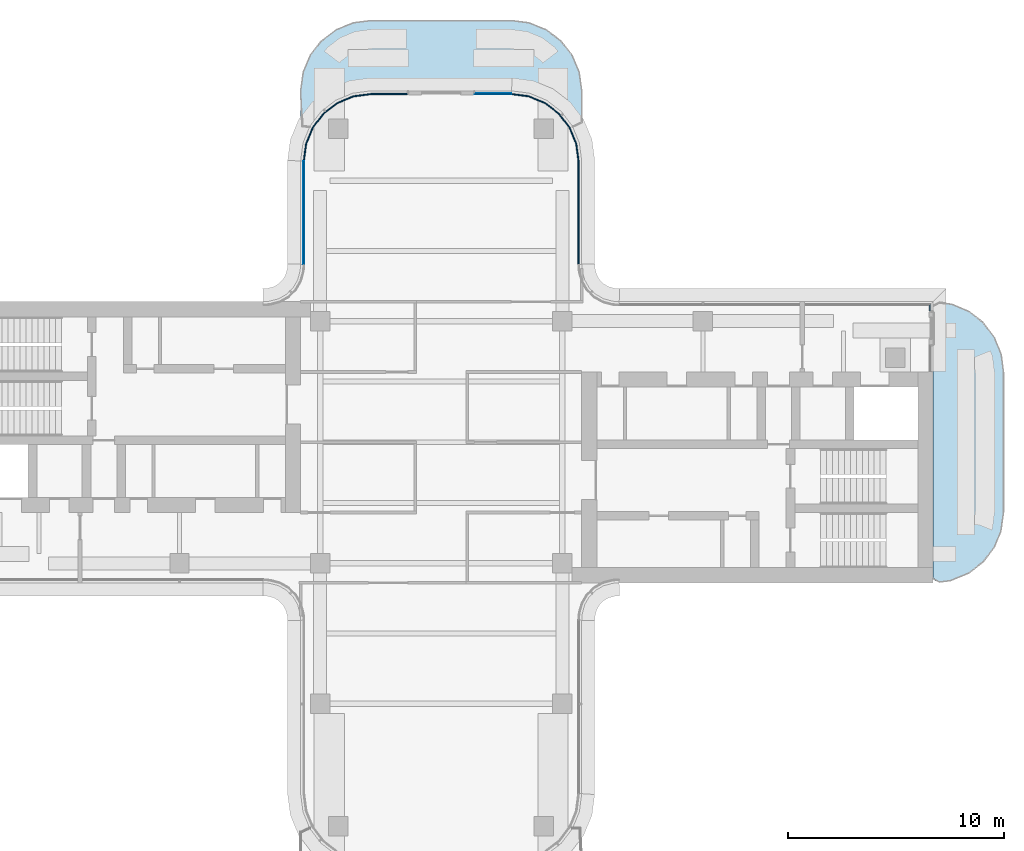
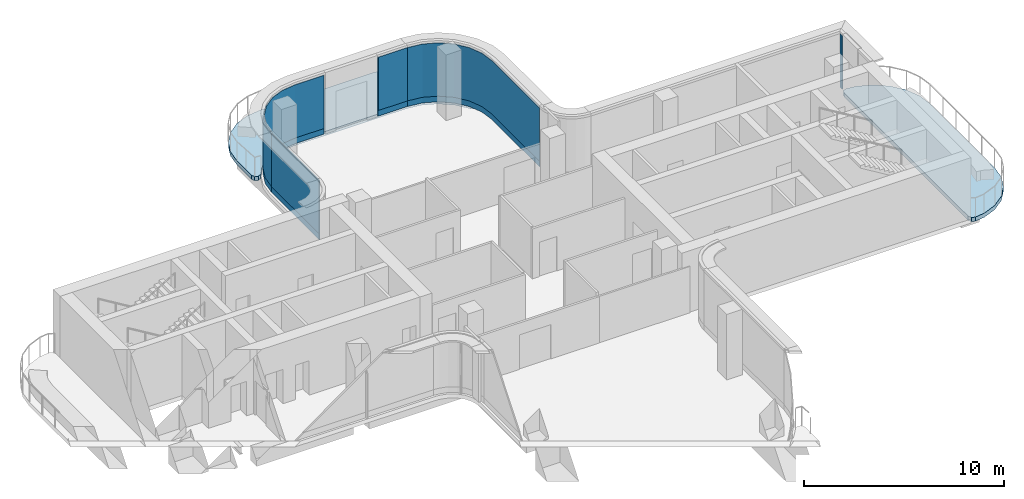
# One storey, part 11 of 18: 9 plates, 2 slabs, 5 elements without a shape of their own.
"""IFC4 building model written with IfcOpenShell, lengths in metres."""

from ifc_helpers import new_model, si_unit, direction, frame, origin, place, context, subcontext, project, spatial, polyline, outline, extrude, source, transform, mapped, material, layer, layer_set, type_object, element, aggregate, save


model = new_model("IFC4")

# Units and contexts
model_context = context("Model", 3, precision=1e-05, world=origin(), true_north=direction((0.0, 1.0)))
body_context = subcontext(model_context, "Body", "Model", "MODEL_VIEW")
ifc_project = project(units=[si_unit("LENGTHUNIT", "METRE"), si_unit("AREAUNIT", "SQUARE_METRE"), si_unit("VOLUMEUNIT", "CUBIC_METRE"), si_unit("PLANEANGLEUNIT", "RADIAN"), si_unit("MASSUNIT", "GRAM", prefix="KILO")], contexts=[model_context])

# Site, building, storey
site_placement = place(None, origin())
site = spatial("IfcSite", under=ifc_project, at=site_placement, CompositionType="ELEMENT")
building_placement = place(site_placement, origin())
building = spatial("IfcBuilding", under=site, at=building_placement, Name="Trellis Farm Tower", CompositionType="ELEMENT")
storey_placement = place(building_placement, frame((0.0, 0.0, 338.10009765625)))
storey = spatial("IfcBuildingStorey", under=building, at=storey_placement, Name="L76", CompositionType="ELEMENT", Elevation=338.10009765625)

# Curtain wall, plate
ifc_material_1 = material(Name="Aluminium and glass curtain wall", Category="aluminium")
ifc_layer_1 = layer(ifc_material_1, 0.176025390625)
ifc_layer_set_1 = layer_set([ifc_layer_1], Name="CROWN LANTERN CURTAIN WALL CW5")
curtain_wall_type = type_object("IfcCurtainWallType", Name="CROWN LANTERN CURTAIN WALL CW5", PredefinedType="NOTDEFINED", material=ifc_layer_set_1)
placement_1 = place(storey_placement, origin())
curtain_wall_1 = element("IfcCurtainWall", 1, at=placement_1, inside=storey, type_object=curtain_wall_type, Name="CW5 007", PredefinedType="NOTDEFINED")
ifc_material_2 = material(Name="Clear insulated glass", Category="glass")
ifc_layer_2 = layer(ifc_material_2, 0.055908203125)
ifc_layer_set_2 = layer_set([ifc_layer_2], Name="CW5 GLASS PANEL 56")
plate_type_1 = type_object("IfcPlateType", Name="CW5 GLASS PANEL 56", PredefinedType="CURTAIN_PANEL", material=ifc_layer_set_2)
placement_2 = place(storey_placement, frame((0.0, 0.0, 0.349853515625)))
plate_1 = element("IfcPlate", 2, at=placement_2, type_object=plate_type_1, Name="PL5 007", PredefinedType="CURTAIN_PANEL", context=body_context, shape_type="SweptSolid", body=[
    extrude(outline(polyline([(22.6298828125, 6.080078125), (22.6298828125, 6.3798828125), (22.573974609375, 6.323974609375), (22.573974609375, 6.080078125), (22.6298828125, 6.080078125)])), origin(), (0.0, 0.0, 1.0), 3.25),
])
aggregate(curtain_wall_1, [plate_1])

curtain_wall_2 = element("IfcCurtainWall", 3, at=placement_1, inside=storey, type_object=curtain_wall_type, Name="CW5 011", PredefinedType="NOTDEFINED")
plate_2 = element("IfcPlate", 4, at=placement_2, type_object=plate_type_1, Name="PL5 011", PredefinedType="CURTAIN_PANEL", context=body_context, shape_type="SweptSolid", body=[
    extrude(outline(polyline([(3.2421875, 16.1298828125), (1.56005859375, 16.1298828125), (1.56005859375, 16.073974609375), (3.238525390625, 16.073974609375), (3.2421875, 16.1298828125)])), origin(), (0.0, 0.0, 1.0), 3.25),
])

curtain_wall_3 = element("IfcCurtainWall", 5, at=placement_1, inside=storey, type_object=curtain_wall_type, Name="CW5 012", PredefinedType="NOTDEFINED")
plate_3 = element("IfcPlate", 6, at=placement_2, type_object=plate_type_1, Name="PL5 012", PredefinedType="CURTAIN_PANEL", context=body_context, shape_type="SweptSolid", body=[
    extrude(outline(polyline([(-1.56005859375, 16.1298828125), (-3.2421875, 16.1298828125), (-4.059814453125, 16.0224609375), (-4.814453125, 15.709716796875), (-5.46240234375, 15.21240234375), (-5.959716796875, 14.564453125), (-6.2724609375, 13.809814453125), (-6.3798828125, 12.9921875), (-6.323974609375, 12.988525390625), (-6.2177734375, 13.795166015625), (-5.910888671875, 14.5361328125), (-5.422607421875, 15.172607421875), (-4.7861328125, 15.660888671875), (-4.045166015625, 15.9677734375), (-3.238525390625, 16.073974609375), (-1.56005859375, 16.073974609375), (-1.56005859375, 16.1298828125)])), origin(), (0.0, 0.0, 1.0), 3.25),
])

# Plate
ifc_material_3 = material(Name="Sandstone faced insulated panel", Category="masonry")
ifc_layer_3 = layer(ifc_material_3, 0.044921875)
ifc_layer_set_3 = layer_set([ifc_layer_3], Name="CW5 STONE SPANDREL PANEL 45")
plate_type_2 = type_object("IfcPlateType", Name="CW5 STONE SPANDREL PANEL 45", PredefinedType="CURTAIN_PANEL", material=ifc_layer_set_3)
plate_4 = element("IfcPlate", 7, at=placement_1, type_object=plate_type_2, Name="PS5 011", PredefinedType="CURTAIN_PANEL", context=body_context, shape_type="SweptSolid", body=[
    extrude(outline(polyline([(3.2421875, 16.1298828125), (1.56005859375, 16.1298828125), (1.56005859375, 16.0849609375), (3.2392578125, 16.0849609375), (3.2421875, 16.1298828125)])), origin(), (0.0, 0.0, 1.0), 0.349853515625),
])

aggregate(curtain_wall_2, [plate_2, plate_4])

plate_5 = element("IfcPlate", 8, at=placement_1, type_object=plate_type_2, Name="PS5 012", PredefinedType="CURTAIN_PANEL", context=body_context, shape_type="SweptSolid", body=[
    extrude(outline(polyline([(-1.56005859375, 16.1298828125), (-3.2421875, 16.1298828125), (-4.059814453125, 16.0224609375), (-4.814453125, 15.709716796875), (-5.46240234375, 15.21240234375), (-5.959716796875, 14.564453125), (-6.2724609375, 13.809814453125), (-6.3798828125, 12.9921875), (-6.3349609375, 12.9892578125), (-6.228515625, 13.798095703125), (-5.92041015625, 14.541748046875), (-5.430419921875, 15.180419921875), (-4.791748046875, 15.67041015625), (-4.048095703125, 15.978515625), (-3.2392578125, 16.0849609375), (-1.56005859375, 16.0849609375), (-1.56005859375, 16.1298828125)])), origin(), (0.0, 0.0, 1.0), 0.349853515625),
])

aggregate(curtain_wall_3, [plate_3, plate_5])

# Slabs
ifc_material_4 = material(Name="Concrete C40/50", Category="concrete")
ifc_layer_4 = layer(ifc_material_4, 0.25)
ifc_layer_set_4 = layer_set([ifc_layer_4], Name="Terrace slab on composite deck 250")
slab_type = type_object("IfcSlabType", Name="Terrace slab on composite deck 250", PredefinedType="FLOOR", material=ifc_layer_set_4)
placement_3 = place(storey_placement, frame((0.0, 0.0, -0.25)))
element("IfcSlab", 9, at=placement_3, inside=storey, type_object=slab_type, Name="Terrace slab", PredefinedType="FLOOR", context=body_context, shape_type="SweptSolid", body=[
    extrude(outline(polyline([(-6.4189453125, 14.609619140625), (-6.5, 14.7939453125), (-6.5, 16.233642578125), (-6.497802734375, 16.26611328125), (-6.3935546875, 17.05859375), (-6.376708984375, 17.12158203125), (-6.0771484375, 17.844482421875), (-6.04443359375, 17.901123046875), (-5.568115234375, 18.52197265625), (-5.52197265625, 18.568115234375), (-4.901123046875, 19.04443359375), (-4.844482421875, 19.0771484375), (-4.12158203125, 19.376708984375), (-4.05859375, 19.3935546875), (-3.26611328125, 19.497802734375), (-3.233642578125, 19.5), (3.233642578125, 19.5), (3.26611328125, 19.497802734375), (4.05859375, 19.3935546875), (4.12158203125, 19.376708984375), (4.844482421875, 19.0771484375), (4.901123046875, 19.04443359375), (5.52197265625, 18.568115234375), (5.568115234375, 18.52197265625), (6.04443359375, 17.901123046875), (6.0771484375, 17.844482421875), (6.376708984375, 17.12158203125), (6.3935546875, 17.05859375), (6.497802734375, 16.26611328125), (6.5, 16.233642578125), (6.5, 14.7939453125), (6.4189453125, 14.609619140625), (6.228271484375, 14.544921875), (6.052978515625, 14.64111328125), (5.548583984375, 15.298583984375), (4.875244140625, 15.815185546875), (4.09130859375, 16.139892578125), (3.25, 16.25048828125), (-3.25, 16.25048828125), (-4.09130859375, 16.139892578125), (-4.875244140625, 15.815185546875), (-5.548583984375, 15.298583984375), (-6.052978515625, 14.64111328125), (-6.228271484375, 14.544921875), (-6.4189453125, 14.609619140625)])), origin(), (0.0, 0.0, 1.0), 0.25),
])
element("IfcSlab", 10, at=placement_3, inside=storey, type_object=slab_type, Name="Terrace slab", PredefinedType="FLOOR", context=body_context, shape_type="SweptSolid", body=[
    extrude(outline(polyline([(24.344482421875, 6.0771484375), (24.401123046875, 6.04443359375), (25.02197265625, 5.568115234375), (25.068115234375, 5.52197265625), (25.54443359375, 4.901123046875), (25.5771484375, 4.844482421875), (25.876708984375, 4.12158203125), (25.8935546875, 4.05859375), (25.997802734375, 3.26611328125), (26.0, 3.233642578125), (26.0, -3.233642578125), (25.997802734375, -3.26611328125), (25.8935546875, -4.05859375), (25.876708984375, -4.12158203125), (25.5771484375, -4.844482421875), (25.54443359375, -4.901123046875), (25.068115234375, -5.52197265625), (25.02197265625, -5.568115234375), (24.401123046875, -6.04443359375), (24.344482421875, -6.0771484375), (23.62158203125, -6.376708984375), (23.55859375, -6.3935546875), (23.03271484375, -6.462890625), (22.835205078125, -6.40283203125), (22.75048828125, -6.21630859375), (22.75048828125, 6.21630859375), (22.835205078125, 6.40283203125), (23.03271484375, 6.462890625), (23.55859375, 6.3935546875), (23.62158203125, 6.376708984375), (24.344482421875, 6.0771484375)])), origin(), (0.0, 0.0, 1.0), 0.25),
])

# Curtain wall, plates
curtain_wall_4 = element("IfcCurtainWall", 11, at=placement_1, inside=storey, type_object=curtain_wall_type, Name="CW5 010", PredefinedType="NOTDEFINED")
shared_shape_1 = source(origin(), body_context, "Body", "SweptSolid", [
    extrude(outline(polyline([(6.3798828125, 8.2275390625), (6.3798828125, 12.9921875), (6.2724609375, 13.809814453125), (5.959716796875, 14.564453125), (5.46240234375, 15.21240234375), (4.814453125, 15.709716796875), (4.059814453125, 16.0224609375), (3.2421875, 16.1298828125), (3.238525390625, 16.073974609375), (4.045166015625, 15.9677734375), (4.7861328125, 15.660888671875), (5.422607421875, 15.172607421875), (5.910888671875, 14.5361328125), (6.2177734375, 13.795166015625), (6.323974609375, 12.988525390625), (6.323974609375, 8.2255859375), (6.3798828125, 8.2275390625)])), origin(), (0.0, 0.0, 1.0), 3.25),
])
plate_6 = element("IfcPlate", 12, at=placement_2, type_object=plate_type_1, Name="PL5 010", PredefinedType="CURTAIN_PANEL", context=body_context, shape_type="MappedRepresentation", body=[
    mapped(shared_shape_1, transform((0.0, 0.0, 0.0))),
])
shared_shape_2 = source(origin(), body_context, "Body", "SweptSolid", [
    extrude(outline(polyline([(6.3798828125, 8.2275390625), (6.3798828125, 12.9921875), (6.2724609375, 13.809814453125), (5.959716796875, 14.564453125), (5.46240234375, 15.21240234375), (4.814453125, 15.709716796875), (4.059814453125, 16.0224609375), (3.2421875, 16.1298828125), (3.2392578125, 16.0849609375), (4.048095703125, 15.978515625), (4.791748046875, 15.67041015625), (5.430419921875, 15.180419921875), (5.92041015625, 14.541748046875), (6.228515625, 13.798095703125), (6.3349609375, 12.9892578125), (6.3349609375, 8.22607421875), (6.3798828125, 8.2275390625)])), origin(), (0.0, 0.0, 1.0), 0.349853515625),
])
plate_7 = element("IfcPlate", 13, at=placement_1, type_object=plate_type_2, Name="PS5 010", PredefinedType="CURTAIN_PANEL", context=body_context, shape_type="MappedRepresentation", body=[
    mapped(shared_shape_2, transform((0.0, 0.0, 0.0))),
])
aggregate(curtain_wall_4, [plate_6, plate_7])

curtain_wall_5 = element("IfcCurtainWall", 14, at=placement_1, inside=storey, type_object=curtain_wall_type, Name="CW5 013", PredefinedType="NOTDEFINED")
shared_shape_3 = source(origin(), body_context, "Body", "SweptSolid", [
    extrude(outline(polyline([(-6.3798828125, 12.9921875), (-6.3798828125, 8.2275390625), (-6.323974609375, 8.2255859375), (-6.323974609375, 12.988525390625), (-6.3798828125, 12.9921875)])), origin(), (0.0, 0.0, 1.0), 3.25),
])
plate_8 = element("IfcPlate", 15, at=placement_2, type_object=plate_type_1, Name="PL5 013", PredefinedType="CURTAIN_PANEL", context=body_context, shape_type="MappedRepresentation", body=[
    mapped(shared_shape_3, transform((0.0, 0.0, 0.0))),
])
shared_shape_4 = source(origin(), body_context, "Body", "SweptSolid", [
    extrude(outline(polyline([(-6.3798828125, 12.9921875), (-6.3798828125, 8.2275390625), (-6.3349609375, 8.22607421875), (-6.3349609375, 12.9892578125), (-6.3798828125, 12.9921875)])), origin(), (0.0, 0.0, 1.0), 0.349853515625),
])
plate_9 = element("IfcPlate", 16, at=placement_1, type_object=plate_type_2, Name="PS5 013", PredefinedType="CURTAIN_PANEL", context=body_context, shape_type="MappedRepresentation", body=[
    mapped(shared_shape_4, transform((0.0, 0.0, 0.0))),
])
aggregate(curtain_wall_5, [plate_8, plate_9])

save(model, "model.ifc")
